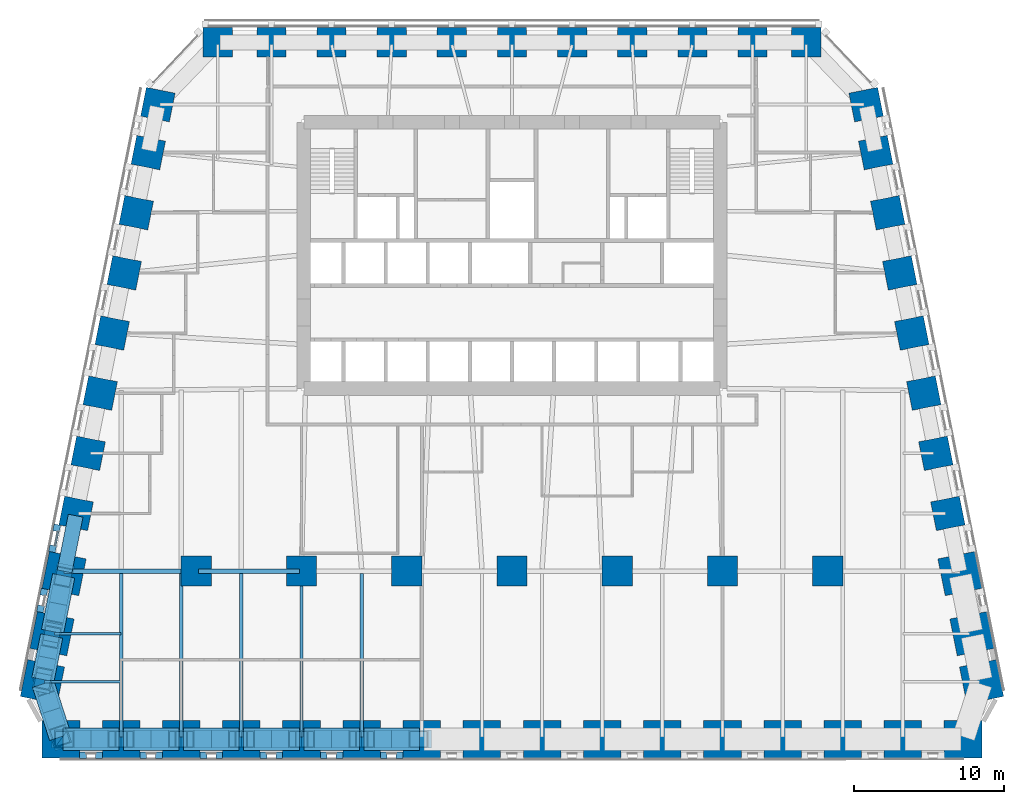
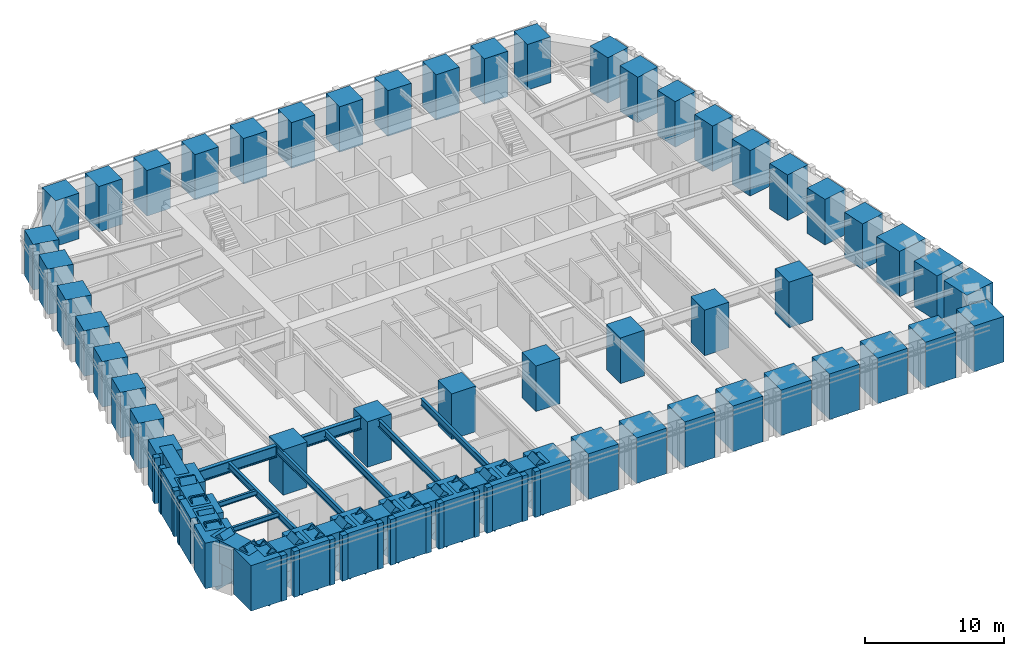
# One storey, part 1 of 17: 56 columns, 35 members, 19 beams, 8 elements without a shape of their own.
"""IFC4 building model written with IfcOpenShell, lengths in metres."""

from ifc_helpers import new_model, si_unit, direction, frame, origin, origin_2d, place, context, subcontext, project, spatial, rectangle, hollow_rectangle, i_section, extrude, material, material_profile, profile_set, type_object, element, aggregate, save


model = new_model("IFC4")

# Units and contexts
model_context = context("Model", 3, precision=1e-05, world=origin(), true_north=direction((0.0, 1.0)))
body_context = subcontext(model_context, "Body", "Model", "MODEL_VIEW")
ifc_project = project(units=[si_unit("LENGTHUNIT", "METRE"), si_unit("AREAUNIT", "SQUARE_METRE"), si_unit("VOLUMEUNIT", "CUBIC_METRE"), si_unit("PLANEANGLEUNIT", "RADIAN"), si_unit("MASSUNIT", "GRAM", prefix="KILO")], contexts=[model_context])

# Site, building, storey
site_placement = place(None, origin())
site = spatial("IfcSite", under=ifc_project, at=site_placement, CompositionType="ELEMENT")
building_placement = place(site_placement, origin())
building = spatial("IfcBuilding", under=site, at=building_placement, Name="Isbrekke Arena Tower", CompositionType="ELEMENT")
storey_placement = place(building_placement, frame((0.0, 0.0, 48.0)))
storey = spatial("IfcBuildingStorey", under=building, at=storey_placement, Name="L09", CompositionType="ELEMENT", Elevation=48.0)

# Columns
ifc_material_1 = material(Name="Concrete B90 (C90/105)", Category="concrete")
ifc_material_profile_1 = material_profile(ifc_material_1, rectangle(XDim=2.0, YDim=2.0, at=origin_2d()), Name="RC 2000x2000")
ifc_profile_set_1 = profile_set([ifc_material_profile_1], Name="Concrete B90 (C90/105)")
column_type_1 = type_object("IfcColumnType", Name="C11 RC 2000 x 2000", PredefinedType="COLUMN", material=ifc_profile_set_1)
for number, where, z_axis, x_axis, name in (
    (1, (-21.0, -6.0, 0.0), (0.0, 0.0, 1.0), (1.0, 0.0, 0.0), "C11 I01"),
    (2, (-14.0, -6.0, 0.0), (0.0, 0.0, 1.0), (1.0, 0.0, 0.0), "C11 I02"),
    (3, (-7.0, -6.0, 0.0), (0.0, 0.0, 1.0), (1.0, 0.0, 0.0), "C11 I03"),
    (4, (0.0, -6.0, 0.0), (0.0, 0.0, 1.0), (1.0, 0.0, 0.0), "C11 I04"),
    (5, (7.0, -6.0, 0.0), (0.0, 0.0, 1.0), (1.0, 0.0, 0.0), "C11 I05"),
    (6, (14.0, -6.0, 0.0), (0.0, 0.0, 1.0), (1.0, 0.0, 0.0), "C11 I06"),
    (7, (21.0, -6.0, 0.0), (0.0, 0.0, 1.0), (1.0, 0.0, 0.0), "C11 I07"),
):
    element("IfcColumn", number, at=place(storey_placement, frame(where, z_axis=z_axis, x_axis=x_axis)), inside=storey, type_object=column_type_1, Name=name, PredefinedType="COLUMN", context=body_context, shape_type="SweptSolid", body=[
        extrude(rectangle(XDim=2.0, YDim=2.0, at=origin_2d()), origin(), (0.0, 0.0, 1.0), 4.0),
    ])
ifc_material_2 = material(Name="Concrete B90 (C90/105)", Category="concrete")
ifc_material_profile_2 = material_profile(ifc_material_2, rectangle(XDim=1.949951171875, YDim=1.949951171875, at=origin_2d()), Name="RC 1950x1950")
ifc_profile_set_2 = profile_set([ifc_material_profile_2], Name="Concrete B90 (C90/105)")
column_type_2 = type_object("IfcColumnType", Name="C2 RC 1950 x 1950", PredefinedType="COLUMN", material=ifc_profile_set_2)
for number, where, z_axis, x_axis, name in (
    (8, (28.990966796875, -2.161865234375, 0.0), (0.0, 0.0, 1.0), (-0.196116135138, 0.980580675691, 0.0), "C2 E04"),
    (9, (28.19091796875, 1.838134765625, 0.0), (0.0, 0.0, 1.0), (-0.196116135138, 0.980580675691, 0.0), "C2 E05"),
    (10, (27.39111328125, 5.838134765625, 0.0), (0.0, 0.0, 1.0), (-0.196116135138, 0.980580675691, 0.0), "C2 E06"),
    (11, (26.591064453125, 9.838134765625, 0.0), (0.0, 0.0, 1.0), (-0.196116135138, 0.980580675691, 0.0), "C2 E07"),
    (12, (25.791015625, 13.838134765625, 0.0), (0.0, 0.0, 1.0), (-0.196116135138, 0.980580675691, 0.0), "C2 E08"),
    (13, (24.990966796875, 17.838134765625, 0.0), (0.0, 0.0, 1.0), (-0.196116135138, 0.980580675691, 0.0), "C2 E09"),
    (14, (24.19091796875, 21.838134765625, 0.0), (0.0, 0.0, 1.0), (-0.196116135138, 0.980580675691, 0.0), "C2 E10"),
    (15, (23.552734375, 25.029296875, 0.0), (0.0, 0.0, 1.0), (-0.196116135138, 0.980580675691, 0.0), "C2 E11"),
    (16, (19.574951171875, 29.175048828125, 0.0), (0.0, 0.0, 1.0), (-1.0, 0.0, 0.0), "C2 N01"),
    (17, (16.0, 29.175048828125, 0.0), (0.0, 0.0, 1.0), (-1.0, 0.0, 0.0), "C2 N02"),
    (18, (12.0, 29.175048828125, 0.0), (0.0, 0.0, 1.0), (-1.0, 0.0, 0.0), "C2 N03"),
    (19, (8.0, 29.175048828125, 0.0), (0.0, 0.0, 1.0), (-1.0, 0.0, 0.0), "C2 N04"),
    (20, (4.0, 29.175048828125, 0.0), (0.0, 0.0, 1.0), (-1.0, 0.0, 0.0), "C2 N05"),
    (21, (0.0, 29.175048828125, 0.0), (0.0, 0.0, 1.0), (-1.0, 0.0, 0.0), "C2 N06"),
    (22, (-4.0, 29.175048828125, 0.0), (0.0, 0.0, 1.0), (-1.0, 0.0, 0.0), "C2 N07"),
    (23, (-8.0, 29.175048828125, 0.0), (0.0, 0.0, 1.0), (-1.0, 0.0, 0.0), "C2 N08"),
    (24, (-12.0, 29.175048828125, 0.0), (0.0, 0.0, 1.0), (-1.0, 0.0, 0.0), "C2 N09"),
    (25, (-16.0, 29.175048828125, 0.0), (0.0, 0.0, 1.0), (-1.0, 0.0, 0.0), "C2 N10"),
    (26, (-19.574951171875, 29.175048828125, 0.0), (0.0, 0.0, 1.0), (-1.0, 0.0, 0.0), "C2 N11"),
    (27, (-23.552734375, 25.029296875, 0.0), (0.0, 0.0, 1.0), (-0.196116135138, -0.980580675691, 0.0), "C2 W01"),
    (28, (-24.19091796875, 21.838134765625, 0.0), (0.0, 0.0, 1.0), (-0.196116135138, -0.980580675691, 0.0), "C2 W02"),
    (29, (-24.990966796875, 17.838134765625, 0.0), (0.0, 0.0, 1.0), (-0.196116135138, -0.980580675691, 0.0), "C2 W03"),
    (30, (-25.791015625, 13.838134765625, 0.0), (0.0, 0.0, 1.0), (-0.196116135138, -0.980580675691, 0.0), "C2 W04"),
    (31, (-26.591064453125, 9.838134765625, 0.0), (0.0, 0.0, 1.0), (-0.196116135138, -0.980580675691, 0.0), "C2 W05"),
    (32, (-27.39111328125, 5.838134765625, 0.0), (0.0, 0.0, 1.0), (-0.196116135138, -0.980580675691, 0.0), "C2 W06"),
    (33, (-28.19091796875, 1.838134765625, 0.0), (0.0, 0.0, 1.0), (-0.196116135138, -0.980580675691, 0.0), "C2 W07"),
    (34, (-28.990966796875, -2.161865234375, 0.0), (0.0, 0.0, 1.0), (-0.196116135138, -0.980580675691, 0.0), "C2 W08"),
):
    element("IfcColumn", number, at=place(storey_placement, frame(where, z_axis=z_axis, x_axis=x_axis)), inside=storey, type_object=column_type_2, Name=name, PredefinedType="COLUMN", context=body_context, shape_type="SweptSolid", body=[
        extrude(rectangle(XDim=1.949951171875, YDim=1.949951171875, at=origin_2d()), origin(), (0.0, 0.0, 1.0), 4.0),
    ])
ifc_material_3 = material(Name="Concrete B90 (C90/105)", Category="concrete")
ifc_material_profile_3 = material_profile(ifc_material_3, rectangle(XDim=2.5, YDim=2.5, at=origin_2d()), Name="RC 2500x2500")
ifc_profile_set_3 = profile_set([ifc_material_profile_3], Name="Concrete B90 (C90/105)")
column_type_3 = type_object("IfcColumnType", Name="C20 RC 2500 x 2500", PredefinedType="COLUMN", material=ifc_profile_set_3)
for number, where, z_axis, x_axis, name in (
    (35, (-30.0, -17.175048828125, 0.0), (0.0, 0.0, 1.0), (1.0, 0.0, 0.0), "C20 S01"),
    (36, (-26.0, -17.175048828125, 0.0), (0.0, 0.0, 1.0), (1.0, 0.0, 0.0), "C20 S02"),
    (37, (-22.0, -17.175048828125, 0.0), (0.0, 0.0, 1.0), (1.0, 0.0, 0.0), "C20 S03"),
    (38, (-18.0, -17.175048828125, 0.0), (0.0, 0.0, 1.0), (1.0, 0.0, 0.0), "C20 S04"),
    (39, (-14.0, -17.175048828125, 0.0), (0.0, 0.0, 1.0), (1.0, 0.0, 0.0), "C20 S05"),
    (40, (-10.0, -17.175048828125, 0.0), (0.0, 0.0, 1.0), (1.0, 0.0, 0.0), "C20 S06"),
    (41, (-6.0, -17.175048828125, 0.0), (0.0, 0.0, 1.0), (1.0, 0.0, 0.0), "C20 S07"),
    (42, (-2.0, -17.175048828125, 0.0), (0.0, 0.0, 1.0), (1.0, 0.0, 0.0), "C20 S08"),
    (43, (2.0, -17.175048828125, 0.0), (0.0, 0.0, 1.0), (1.0, 0.0, 0.0), "C20 S09"),
    (44, (6.0, -17.175048828125, 0.0), (0.0, 0.0, 1.0), (1.0, 0.0, 0.0), "C20 S10"),
    (45, (10.0, -17.175048828125, 0.0), (0.0, 0.0, 1.0), (1.0, 0.0, 0.0), "C20 S11"),
    (46, (14.0, -17.175048828125, 0.0), (0.0, 0.0, 1.0), (1.0, 0.0, 0.0), "C20 S12"),
    (47, (18.0, -17.175048828125, 0.0), (0.0, 0.0, 1.0), (1.0, 0.0, 0.0), "C20 S13"),
    (48, (22.0, -17.175048828125, 0.0), (0.0, 0.0, 1.0), (1.0, 0.0, 0.0), "C20 S14"),
    (49, (26.0, -17.175048828125, 0.0), (0.0, 0.0, 1.0), (1.0, 0.0, 0.0), "C20 S15"),
    (50, (30.0, -17.175048828125, 0.0), (0.0, 0.0, 1.0), (1.0, 0.0, 0.0), "C20 S16"),
    (51, (31.229248046875, -13.352783203125, 0.0), (0.0, 0.0, 1.0), (-0.196116135138, 0.980580675691, 0.0), "C20 E01"),
    (52, (30.591064453125, -10.161865234375, 0.0), (0.0, 0.0, 1.0), (-0.196116135138, 0.980580675691, 0.0), "C20 E02"),
    (53, (29.791015625, -6.161865234375, 0.0), (0.0, 0.0, 1.0), (-0.196116135138, 0.980580675691, 0.0), "C20 E03"),
    (54, (-29.791015625, -6.161865234375, 0.0), (0.0, 0.0, 1.0), (-0.196116135138, -0.980580675691, 0.0), "C20 W09"),
    (55, (-30.591064453125, -10.161865234375, 0.0), (0.0, 0.0, 1.0), (-0.196116135138, -0.980580675691, 0.0), "C20 W10"),
    (56, (-31.229248046875, -13.352783203125, 0.0), (0.0, 0.0, 1.0), (-0.196116135138, -0.980580675691, 0.0), "C20 W11"),
):
    element("IfcColumn", number, at=place(storey_placement, frame(where, z_axis=z_axis, x_axis=x_axis)), inside=storey, type_object=column_type_3, Name=name, PredefinedType="COLUMN", context=body_context, shape_type="SweptSolid", body=[
        extrude(rectangle(XDim=2.5, YDim=2.5, at=origin_2d()), origin(), (0.0, 0.0, 1.0), 4.0),
    ])

# Beams
ifc_material_4 = material(Name="Steel S355", Category="steel")
ifc_material_profile_4 = material_profile(ifc_material_4, i_section(OverallWidth=0.219970703125, OverallDepth=0.60009765625, WebThickness=0.011962890625, FlangeThickness=0.01904296875, FilletRadius=0.02392578125, at=origin_2d()), Name="IPE 600")
ifc_profile_set_4 = profile_set([ifc_material_profile_4], Name="Steel S355")
beam_type_1 = type_object("IfcBeamType", Name="B1 IPE 600", PredefinedType="BEAM", material=ifc_profile_set_4)
for number, where, z_axis, x_axis, name in (
    (57, (-26.0, -17.02490234375, 3.550048828125), (0.0, 1.0, 0.0), (-1.0, 0.0, 0.0), "B1 beam S-S02 L09"),
    (58, (-22.0, -17.02490234375, 3.550048828125), (0.0, 1.0, 0.0), (-1.0, 0.0, 0.0), "B1 beam S-S03 L09"),
    (59, (-18.0, -17.02490234375, 3.550048828125), (0.0, 1.0, 0.0), (-1.0, 0.0, 0.0), "B1 beam S-S04 L09"),
):
    element("IfcBeam", number, at=place(storey_placement, frame(where, z_axis=z_axis, x_axis=x_axis)), inside=storey, type_object=beam_type_1, Name=name, PredefinedType="BEAM", context=body_context, shape_type="SweptSolid", body=[
        extrude(i_section(OverallWidth=0.219970703125, OverallDepth=0.60009765625, WebThickness=0.011962890625, FlangeThickness=0.01904296875, FilletRadius=0.02392578125, at=origin_2d()), origin(), (0.0, 0.0, 1.0), 10.8740234375),
    ])
beam_1_placement = place(storey_placement, frame((-14.0, -17.02490234375, 3.550048828125), z_axis=(0.0, 1.0, 0.0), x_axis=(-1.0, 0.0, 0.0)))
element("IfcBeam", 60, at=beam_1_placement, inside=storey, type_object=beam_type_1, Name="B1 beam S-S05 L09", PredefinedType="BEAM", context=body_context, shape_type="SweptSolid", body=[
    extrude(i_section(OverallWidth=0.219970703125, OverallDepth=0.60009765625, WebThickness=0.011962890625, FlangeThickness=0.01904296875, FilletRadius=0.02392578125, at=origin_2d()), origin(), (0.0, 0.0, 1.0), 10.875),
])
beam_2_placement = place(storey_placement, frame((-10.0, -17.02490234375, 3.550048828125), z_axis=(0.0, 1.0, 0.0), x_axis=(-1.0, 0.0, 0.0)))
element("IfcBeam", 61, at=beam_2_placement, inside=storey, type_object=beam_type_1, Name="B1 beam S-S06 L09", PredefinedType="BEAM", context=body_context, shape_type="SweptSolid", body=[
    extrude(i_section(OverallWidth=0.219970703125, OverallDepth=0.60009765625, WebThickness=0.011962890625, FlangeThickness=0.01904296875, FilletRadius=0.02392578125, at=origin_2d()), origin(), (0.0, 0.0, 1.0), 10.8740234375),
])
ifc_material_5 = material(Name="Steel S355", Category="steel")
ifc_material_profile_5 = material_profile(ifc_material_5, i_section(OverallWidth=0.18994140625, OverallDepth=0.449951171875, WebThickness=0.009521484375, FlangeThickness=0.0146484375, FilletRadius=0.02099609375, at=origin_2d()), Name="IPE 450")
ifc_profile_set_5 = profile_set([ifc_material_profile_5], Name="Steel S355")
beam_type_2 = type_object("IfcBeamType", Name="B2 IPE 450", PredefinedType="BEAM", material=ifc_profile_set_5)
beam_3_placement = place(storey_placement, frame((-30.44091796875, -10.161865234375, 3.625), z_axis=(1.0, 0.0, 0.0), x_axis=(0.0, 1.0, 0.0)))
element("IfcBeam", 62, at=beam_3_placement, inside=storey, type_object=beam_type_2, Name="B2 beam E-W10 L09", PredefinedType="BEAM", context=body_context, shape_type="SweptSolid", body=[
    extrude(i_section(OverallWidth=0.18994140625, OverallDepth=0.449951171875, WebThickness=0.009521484375, FlangeThickness=0.0146484375, FilletRadius=0.02099609375, at=origin_2d()), origin(), (0.0, 0.0, 1.0), 4.44091796875),
])
beam_4_placement = place(storey_placement, frame((-31.079345703125, -13.352783203125, 3.625), z_axis=(1.0, 0.0, 0.0), x_axis=(0.0, 1.0, 0.0)))
element("IfcBeam", 63, at=beam_4_placement, inside=storey, type_object=beam_type_2, Name="B2 beam E-W11 L09", PredefinedType="BEAM", context=body_context, shape_type="SweptSolid", body=[
    extrude(i_section(OverallWidth=0.18994140625, OverallDepth=0.449951171875, WebThickness=0.009521484375, FlangeThickness=0.0146484375, FilletRadius=0.02099609375, at=origin_2d()), origin(), (0.0, 0.0, 1.0), 5.079345703125),
])

# Curtain wall, members
ifc_material_6 = material(Name="Glazed aluminium curtain wall", Category="aluminium")
curtain_wall_type = type_object("IfcCurtainWallType", Name="CWL TOWER CURTAIN WALL LOW ZONE", PredefinedType="USERDEFINED", material=ifc_material_6)
curtain_wall_1_placement = place(storey_placement, origin())
curtain_wall_1 = element("IfcCurtainWall", 64, at=curtain_wall_1_placement, inside=storey, type_object=curtain_wall_type, Name="CWL curtain wall L09-S", ObjectType="TOWER CURTAIN WALL LOW ZONE", PredefinedType="USERDEFINED")
ifc_material_7 = material(Name="Aluminium mullion, pale brick slip cladding", Category="masonry")
ifc_material_profile_6 = material_profile(ifc_material_7, rectangle(XDim=0.449951171875, YDim=0.449951171875, at=origin_2d()), Name="PIER 450X450")
ifc_profile_set_6 = profile_set([ifc_material_profile_6], Name="Aluminium mullion, pale brick slip cladding")
member_type_1 = type_object("IfcMemberType", Name="CWL-M PIER MULLION 450 x 450", PredefinedType="MULLION", material=ifc_profile_set_6)
member_1_placement = place(storey_placement, frame((-28.527099609375, -18.25, 0.0), z_axis=(0.0, 0.0, 1.0), x_axis=(1.0, 0.0, 0.0)))
member_1 = element("IfcMember", 65, at=member_1_placement, type_object=member_type_1, Name="CWL-M mullion 1", PredefinedType="MULLION", context=body_context, shape_type="SweptSolid", body=[
    extrude(rectangle(XDim=0.449951171875, YDim=0.449951171875, at=origin_2d()), origin(), (0.0, 0.0, 1.0), 4.0),
])
member_2_placement = place(storey_placement, frame((-27.47509765625, -18.25, 0.0), z_axis=(0.0, 0.0, 1.0), x_axis=(1.0, 0.0, 0.0)))
member_2 = element("IfcMember", 66, at=member_2_placement, type_object=member_type_1, Name="CWL-M mullion 2", PredefinedType="MULLION", context=body_context, shape_type="SweptSolid", body=[
    extrude(rectangle(XDim=0.449951171875, YDim=0.449951171875, at=origin_2d()), origin(), (0.0, 0.0, 1.0), 4.0),
])
aggregate(curtain_wall_1, [member_1, member_2])

curtain_wall_2_placement = place(storey_placement, origin())
curtain_wall_2 = element("IfcCurtainWall", 67, at=curtain_wall_2_placement, inside=storey, type_object=curtain_wall_type, Name="CWL curtain wall L09-S3", ObjectType="TOWER CURTAIN WALL LOW ZONE", PredefinedType="USERDEFINED")
member_3_placement = place(storey_placement, frame((-24.52490234375, -18.25, 0.0), z_axis=(0.0, 0.0, 1.0), x_axis=(1.0, 0.0, 0.0)))
member_3 = element("IfcMember", 68, at=member_3_placement, type_object=member_type_1, Name="CWL-M mullion 1", PredefinedType="MULLION", context=body_context, shape_type="SweptSolid", body=[
    extrude(rectangle(XDim=0.449951171875, YDim=0.449951171875, at=origin_2d()), origin(), (0.0, 0.0, 1.0), 4.0),
])
member_4_placement = place(storey_placement, frame((-23.47509765625, -18.25, 0.0), z_axis=(0.0, 0.0, 1.0), x_axis=(1.0, 0.0, 0.0)))
member_4 = element("IfcMember", 69, at=member_4_placement, type_object=member_type_1, Name="CWL-M mullion 2", PredefinedType="MULLION", context=body_context, shape_type="SweptSolid", body=[
    extrude(rectangle(XDim=0.449951171875, YDim=0.449951171875, at=origin_2d()), origin(), (0.0, 0.0, 1.0), 4.0),
])
aggregate(curtain_wall_2, [member_3, member_4])

curtain_wall_3_placement = place(storey_placement, origin())
curtain_wall_3 = element("IfcCurtainWall", 70, at=curtain_wall_3_placement, inside=storey, type_object=curtain_wall_type, Name="CWL curtain wall L09-S5", ObjectType="TOWER CURTAIN WALL LOW ZONE", PredefinedType="USERDEFINED")
member_5_placement = place(storey_placement, frame((-20.52490234375, -18.25, 0.0), z_axis=(0.0, 0.0, 1.0), x_axis=(1.0, 0.0, 0.0)))
member_5 = element("IfcMember", 71, at=member_5_placement, type_object=member_type_1, Name="CWL-M mullion 1", PredefinedType="MULLION", context=body_context, shape_type="SweptSolid", body=[
    extrude(rectangle(XDim=0.449951171875, YDim=0.449951171875, at=origin_2d()), origin(), (0.0, 0.0, 1.0), 4.0),
])
member_6_placement = place(storey_placement, frame((-19.47509765625, -18.25, 0.0), z_axis=(0.0, 0.0, 1.0), x_axis=(1.0, 0.0, 0.0)))
member_6 = element("IfcMember", 72, at=member_6_placement, type_object=member_type_1, Name="CWL-M mullion 2", PredefinedType="MULLION", context=body_context, shape_type="SweptSolid", body=[
    extrude(rectangle(XDim=0.449951171875, YDim=0.449951171875, at=origin_2d()), origin(), (0.0, 0.0, 1.0), 4.0),
])
aggregate(curtain_wall_3, [member_5, member_6])

curtain_wall_4_placement = place(storey_placement, origin())
curtain_wall_4 = element("IfcCurtainWall", 73, at=curtain_wall_4_placement, inside=storey, type_object=curtain_wall_type, Name="CWL curtain wall L09-S7", ObjectType="TOWER CURTAIN WALL LOW ZONE", PredefinedType="USERDEFINED")
member_7_placement = place(storey_placement, frame((-16.52490234375, -18.25, 0.0), z_axis=(0.0, 0.0, 1.0), x_axis=(1.0, 0.0, 0.0)))
member_7 = element("IfcMember", 74, at=member_7_placement, type_object=member_type_1, Name="CWL-M mullion 1", PredefinedType="MULLION", context=body_context, shape_type="SweptSolid", body=[
    extrude(rectangle(XDim=0.449951171875, YDim=0.449951171875, at=origin_2d()), origin(), (0.0, 0.0, 1.0), 4.0),
])
member_8_placement = place(storey_placement, frame((-15.47509765625, -18.25, 0.0), z_axis=(0.0, 0.0, 1.0), x_axis=(1.0, 0.0, 0.0)))
member_8 = element("IfcMember", 75, at=member_8_placement, type_object=member_type_1, Name="CWL-M mullion 2", PredefinedType="MULLION", context=body_context, shape_type="SweptSolid", body=[
    extrude(rectangle(XDim=0.449951171875, YDim=0.449951171875, at=origin_2d()), origin(), (0.0, 0.0, 1.0), 4.0),
])
aggregate(curtain_wall_4, [member_7, member_8])

curtain_wall_5_placement = place(storey_placement, origin())
curtain_wall_5 = element("IfcCurtainWall", 76, at=curtain_wall_5_placement, inside=storey, type_object=curtain_wall_type, Name="CWL curtain wall L09-S9", ObjectType="TOWER CURTAIN WALL LOW ZONE", PredefinedType="USERDEFINED")
member_9_placement = place(storey_placement, frame((-12.52490234375, -18.25, 0.0), z_axis=(0.0, 0.0, 1.0), x_axis=(1.0, 0.0, 0.0)))
member_9 = element("IfcMember", 77, at=member_9_placement, type_object=member_type_1, Name="CWL-M mullion 1", PredefinedType="MULLION", context=body_context, shape_type="SweptSolid", body=[
    extrude(rectangle(XDim=0.449951171875, YDim=0.449951171875, at=origin_2d()), origin(), (0.0, 0.0, 1.0), 4.0),
])
member_10_placement = place(storey_placement, frame((-11.47509765625, -18.25, 0.0), z_axis=(0.0, 0.0, 1.0), x_axis=(1.0, 0.0, 0.0)))
member_10 = element("IfcMember", 78, at=member_10_placement, type_object=member_type_1, Name="CWL-M mullion 2", PredefinedType="MULLION", context=body_context, shape_type="SweptSolid", body=[
    extrude(rectangle(XDim=0.449951171875, YDim=0.449951171875, at=origin_2d()), origin(), (0.0, 0.0, 1.0), 4.0),
])
aggregate(curtain_wall_5, [member_9, member_10])

curtain_wall_6_placement = place(storey_placement, origin())
curtain_wall_6 = element("IfcCurtainWall", 79, at=curtain_wall_6_placement, inside=storey, type_object=curtain_wall_type, Name="CWL curtain wall L09-S11", ObjectType="TOWER CURTAIN WALL LOW ZONE", PredefinedType="USERDEFINED")
member_11_placement = place(storey_placement, frame((-8.52490234375, -18.25, 0.0), z_axis=(0.0, 0.0, 1.0), x_axis=(1.0, 0.0, 0.0)))
member_11 = element("IfcMember", 80, at=member_11_placement, type_object=member_type_1, Name="CWL-M mullion 1", PredefinedType="MULLION", context=body_context, shape_type="SweptSolid", body=[
    extrude(rectangle(XDim=0.449951171875, YDim=0.449951171875, at=origin_2d()), origin(), (0.0, 0.0, 1.0), 4.0),
])
member_12_placement = place(storey_placement, frame((-7.47509765625, -18.25, 0.0), z_axis=(0.0, 0.0, 1.0), x_axis=(1.0, 0.0, 0.0)))
member_12 = element("IfcMember", 81, at=member_12_placement, type_object=member_type_1, Name="CWL-M mullion 2", PredefinedType="MULLION", context=body_context, shape_type="SweptSolid", body=[
    extrude(rectangle(XDim=0.449951171875, YDim=0.449951171875, at=origin_2d()), origin(), (0.0, 0.0, 1.0), 4.0),
])
aggregate(curtain_wall_6, [member_11, member_12])

curtain_wall_7_placement = place(storey_placement, origin())
curtain_wall_7 = element("IfcCurtainWall", 82, at=curtain_wall_7_placement, inside=storey, type_object=curtain_wall_type, Name="CWL curtain wall L09-W15", ObjectType="TOWER CURTAIN WALL LOW ZONE", PredefinedType="USERDEFINED")
member_13_placement = place(storey_placement, frame((-30.280517578125, -3.127685546875, 0.0), z_axis=(0.0, 0.0, 1.0), x_axis=(-0.196116135138, -0.980580675691, 0.0)))
member_13 = element("IfcMember", 83, at=member_13_placement, type_object=member_type_1, Name="CWL-M mullion 1", PredefinedType="MULLION", context=body_context, shape_type="SweptSolid", body=[
    extrude(rectangle(XDim=0.449951171875, YDim=0.449951171875, at=origin_2d()), origin(), (0.0, 0.0, 1.0), 4.0),
])
member_14_placement = place(storey_placement, frame((-30.555908203125, -4.504638671875, 0.0), z_axis=(0.0, 0.0, 1.0), x_axis=(-0.196116135138, -0.980580675691, 0.0)))
member_14 = element("IfcMember", 84, at=member_14_placement, type_object=member_type_1, Name="CWL-M mullion 2", PredefinedType="MULLION", context=body_context, shape_type="SweptSolid", body=[
    extrude(rectangle(XDim=0.449951171875, YDim=0.449951171875, at=origin_2d()), origin(), (0.0, 0.0, 1.0), 4.0),
])

curtain_wall_8_placement = place(storey_placement, origin())
curtain_wall_8 = element("IfcCurtainWall", 85, at=curtain_wall_8_placement, inside=storey, type_object=curtain_wall_type, Name="CWL curtain wall L09-W17", ObjectType="TOWER CURTAIN WALL LOW ZONE", PredefinedType="USERDEFINED")
member_15_placement = place(storey_placement, frame((-31.134521484375, -7.397216796875, 0.0), z_axis=(0.0, 0.0, 1.0), x_axis=(-0.196116135138, -0.980580675691, 0.0)))
member_15 = element("IfcMember", 86, at=member_15_placement, type_object=member_type_1, Name="CWL-M mullion 1", PredefinedType="MULLION", context=body_context, shape_type="SweptSolid", body=[
    extrude(rectangle(XDim=0.449951171875, YDim=0.449951171875, at=origin_2d()), origin(), (0.0, 0.0, 1.0), 4.0),
])
member_16_placement = place(storey_placement, frame((-31.35595703125, -8.504638671875, 0.0), z_axis=(0.0, 0.0, 1.0), x_axis=(-0.196116135138, -0.980580675691, 0.0)))
member_16 = element("IfcMember", 87, at=member_16_placement, type_object=member_type_1, Name="CWL-M mullion 2", PredefinedType="MULLION", context=body_context, shape_type="SweptSolid", body=[
    extrude(rectangle(XDim=0.449951171875, YDim=0.449951171875, at=origin_2d()), origin(), (0.0, 0.0, 1.0), 4.0),
])
aggregate(curtain_wall_8, [member_15, member_16])

# Member
ifc_material_8 = material(Name="Aluminium transom", Category="aluminium")
ifc_material_profile_7 = material_profile(ifc_material_8, rectangle(XDim=0.1201171875, YDim=0.199951171875, at=origin_2d()), Name="TRANSOM 120X200")
ifc_profile_set_7 = profile_set([ifc_material_profile_7], Name="Aluminium transom")
member_type_2 = type_object("IfcMemberType", Name="CWL-T TRANSOM 120 x 200", PredefinedType="USERDEFINED", material=ifc_profile_set_7)
member_17_placement = place(storey_placement, frame((-30.2021484375, -3.372802734375, 3.0), z_axis=(-0.19596853661, -0.980610183844, 0.0), x_axis=(0.980610183844, -0.19596853661, 0.0)))
member_17 = element("IfcMember", 88, at=member_17_placement, type_object=member_type_2, Name="CWL-T transom 1", ObjectType="TRANSOM", PredefinedType="USERDEFINED", context=body_context, shape_type="SweptSolid", body=[
    extrude(rectangle(XDim=0.1201171875, YDim=0.199951171875, at=origin_2d()), origin(), (0.0, 0.0, 1.0), 0.954345703125),
])

aggregate(curtain_wall_7, [member_13, member_14, member_17])

# Beams
ifc_material_9 = material(Name="Steel S355", Category="steel")
ifc_material_profile_8 = material_profile(ifc_material_9, i_section(OverallWidth=0.302001953125, OverallDepth=1.008056640625, WebThickness=0.02099609375, FlangeThickness=0.0400390625, FilletRadius=0.030029296875, at=origin_2d()), Name="HEM 1000")
ifc_profile_set_8 = profile_set([ifc_material_profile_8], Name="Steel S355")
beam_type_3 = type_object("IfcBeamType", Name="G1 HEM 1000", PredefinedType="BEAM", material=ifc_profile_set_8)
beam_5_placement = place(storey_placement, frame((-29.791015625, -6.0, 3.345947265625), z_axis=(1.0, 0.0, 0.0), x_axis=(0.0, 1.0, 0.0)))
element("IfcBeam", 89, at=beam_5_placement, inside=storey, type_object=beam_type_3, Name="G1 beam G1-01 L09", PredefinedType="BEAM", context=body_context, shape_type="SweptSolid", body=[
    extrude(i_section(OverallWidth=0.302001953125, OverallDepth=1.008056640625, WebThickness=0.02099609375, FlangeThickness=0.0400390625, FilletRadius=0.030029296875, at=origin_2d()), origin(), (0.0, 0.0, 1.0), 8.64111328125),
])
beam_6_placement = place(storey_placement, frame((-20.85009765625, -6.0, 3.345947265625), z_axis=(1.0, 0.0, 0.0), x_axis=(0.0, 1.0, 0.0)))
element("IfcBeam", 90, at=beam_6_placement, inside=storey, type_object=beam_type_3, Name="G1 beam G1-02 L09", PredefinedType="BEAM", context=body_context, shape_type="SweptSolid", body=[
    extrude(i_section(OverallWidth=0.302001953125, OverallDepth=1.008056640625, WebThickness=0.02099609375, FlangeThickness=0.0400390625, FilletRadius=0.030029296875, at=origin_2d()), origin(), (0.0, 0.0, 1.0), 6.7001953125),
])
ifc_material_10 = material(Name="Concrete B90 (C90/105)", Category="concrete")
ifc_material_profile_9 = material_profile(ifc_material_10, rectangle(XDim=1.0, YDim=1.60009765625, at=origin_2d()), Name="RC 1000x1600")
ifc_profile_set_9 = profile_set([ifc_material_profile_9], Name="Concrete B90 (C90/105)")
beam_type_4 = type_object("IfcBeamType", Name="SB1 RC 1000 x 1600", PredefinedType="SPANDREL", material=ifc_profile_set_9)
beam_7_placement = place(storey_placement, frame((-29.0205078125, -2.308837890625, 3.199951171875), z_axis=(-0.196128558387, -0.980578190959, 0.0), x_axis=(0.980578190959, -0.196128558387, 0.0)))
element("IfcBeam", 91, at=beam_7_placement, inside=storey, type_object=beam_type_4, Name="SB1 spandrel W08-W09 L09", PredefinedType="SPANDREL", context=body_context, shape_type="SweptSolid", body=[
    extrude(rectangle(XDim=1.0, YDim=1.60009765625, at=origin_2d()), origin(), (0.0, 0.0, 1.0), 3.779296875),
])
ifc_material_11 = material(Name="Concrete B90 (C90/105)", Category="concrete")
ifc_material_profile_10 = material_profile(ifc_material_11, rectangle(XDim=1.5, YDim=2.0, at=origin_2d()), Name="RC 1500x2000")
ifc_profile_set_10 = profile_set([ifc_material_profile_10], Name="Concrete B90 (C90/105)")
beam_type_5 = type_object("IfcBeamType", Name="SB6 RC 1500 x 2000", PredefinedType="SPANDREL", material=ifc_profile_set_10)
for number, where, z_axis, x_axis, name in (
    (92, (-29.85009765625, -17.175048828125, 3.0), (1.0, 0.0, 0.0), (0.0, 1.0, 0.0), "SB6 spandrel S01-S02 L09"),
    (93, (-25.85009765625, -17.175048828125, 3.0), (1.0, 0.0, 0.0), (0.0, 1.0, 0.0), "SB6 spandrel S02-S03 L09"),
    (94, (-21.85009765625, -17.175048828125, 3.0), (1.0, 0.0, 0.0), (0.0, 1.0, 0.0), "SB6 spandrel S03-S04 L09"),
    (95, (-17.85009765625, -17.175048828125, 3.0), (1.0, 0.0, 0.0), (0.0, 1.0, 0.0), "SB6 spandrel S04-S05 L09"),
    (96, (-13.85009765625, -17.175048828125, 3.0), (1.0, 0.0, 0.0), (0.0, 1.0, 0.0), "SB6 spandrel S05-S06 L09"),
    (97, (-9.85009765625, -17.175048828125, 3.0), (1.0, 0.0, 0.0), (0.0, 1.0, 0.0), "SB6 spandrel S06-S07 L09"),
):
    element("IfcBeam", number, at=place(storey_placement, frame(where, z_axis=z_axis, x_axis=x_axis)), inside=storey, type_object=beam_type_5, Name=name, PredefinedType="SPANDREL", context=body_context, shape_type="SweptSolid", body=[
        extrude(rectangle(XDim=1.5, YDim=2.0, at=origin_2d()), origin(), (0.0, 0.0, 1.0), 3.7001953125),
    ])
beam_8_placement = place(storey_placement, frame((-29.820556640625, -6.308837890625, 3.0), z_axis=(-0.1960664412, -0.980590613169, 0.0), x_axis=(0.980590613169, -0.1960664412, 0.0)))
element("IfcBeam", 98, at=beam_8_placement, inside=storey, type_object=beam_type_5, Name="SB6 spandrel W09-W10 L09", PredefinedType="SPANDREL", context=body_context, shape_type="SweptSolid", body=[
    extrude(rectangle(XDim=1.5, YDim=2.0, at=origin_2d()), origin(), (0.0, 0.0, 1.0), 3.779052734375),
])
beam_9_placement = place(storey_placement, frame((-30.620361328125, -10.308837890625, 3.0), z_axis=(-0.196100243168, -0.980583853951, 0.0), x_axis=(0.980583853951, -0.196100243168, 0.0)))
element("IfcBeam", 99, at=beam_9_placement, inside=storey, type_object=beam_type_5, Name="SB6 spandrel W10-W11 L09", PredefinedType="SPANDREL", context=body_context, shape_type="SweptSolid", body=[
    extrude(rectangle(XDim=1.5, YDim=2.0, at=origin_2d()), origin(), (0.0, 0.0, 1.0), 2.954345703125),
])
beam_10_placement = place(storey_placement, frame((-31.183349609375, -13.49560546875, 3.0), z_axis=(0.306175101476, -0.951975213562, 0.0), x_axis=(0.951975213562, 0.306175101476, 0.0)))
element("IfcBeam", 100, at=beam_10_placement, inside=storey, type_object=beam_type_5, Name="SB6 spandrel W11-S01 L09", PredefinedType="SPANDREL", context=body_context, shape_type="SweptSolid", body=[
    extrude(rectangle(XDim=1.5, YDim=2.0, at=origin_2d()), origin(), (0.0, 0.0, 1.0), 3.715087890625),
])

# Members
ifc_material_12 = material(Name="Steel S460", Category="steel")
ifc_material_profile_11 = material_profile(ifc_material_12, hollow_rectangle(XDim=1.199951171875, YDim=1.800048828125, WallThickness=0.090087890625, at=origin_2d()), Name="BOX 1200x1800x90")
ifc_profile_set_11 = profile_set([ifc_material_profile_11], Name="Steel S460")
member_type_3 = type_object("IfcMemberType", Name="TB1 BOX 1200x1800x90", PredefinedType="BRACE", material=ifc_profile_set_11)
for number, where, z_axis, x_axis, name in (
    (101, (-29.791015625, -6.161865234375, 0.0), (-0.140032438362, -0.700117005481, 0.700162191812), (0.980578241477, -0.196128305817, 0.0), "TB1 transfer brace W09-W10 L09 A"),
    (102, (-29.83447265625, -6.37890625, 3.782958984375), (-0.140028008403, -0.700140042014, -0.700140042014), (0.980580675691, -0.196116135138, 0.0), "TB1 transfer brace W09-W10 L09 B"),
):
    element("IfcMember", number, at=place(storey_placement, frame(where, z_axis=z_axis, x_axis=x_axis)), inside=storey, type_object=member_type_3, Name=name, PredefinedType="BRACE", context=body_context, shape_type="SweptSolid", body=[
        extrude(hollow_rectangle(XDim=1.199951171875, YDim=1.800048828125, WallThickness=0.090087890625, at=origin_2d()), origin(), (0.0, 0.0, 1.0), 5.403076171875),
    ])
for number, where, z_axis, x_axis, name in (
    (103, (-30.591064453125, -10.161865234375, 0.0), (-0.123773292261, -0.618815796836, 0.775723650348), (0.980577587758, -0.196131574168, 0.0), "TB1 transfer brace W10-W11 L09 A"),
    (104, (-30.6328125, -10.370849609375, 3.738037109375), (-0.123773292261, -0.618815796836, -0.775723650348), (0.980577587758, -0.196131574168, 0.0), "TB1 transfer brace W10-W11 L09 B"),
):
    element("IfcMember", number, at=place(storey_placement, frame(where, z_axis=z_axis, x_axis=x_axis)), inside=storey, type_object=member_type_3, Name=name, PredefinedType="BRACE", context=body_context, shape_type="SweptSolid", body=[
        extrude(hollow_rectangle(XDim=1.199951171875, YDim=1.800048828125, WallThickness=0.090087890625, at=origin_2d()), origin(), (0.0, 0.0, 1.0), 4.81884765625),
    ])
for number, where, z_axis, x_axis, name in (
    (105, (-31.229248046875, -13.352783203125, 0.0), (0.216888895255, -0.67441597421, 0.705777798493), (0.951982356028, 0.306152892868, 0.0), "TB1 transfer brace W11-S01 L09 A"),
    (106, (-31.16162109375, -13.56298828125, 3.780029296875), (0.216888895255, -0.67441597421, -0.705777798493), (0.951982356028, 0.306152892868, 0.0), "TB1 transfer brace W11-S01 L09 B"),
):
    element("IfcMember", number, at=place(storey_placement, frame(where, z_axis=z_axis, x_axis=x_axis)), inside=storey, type_object=member_type_3, Name=name, PredefinedType="BRACE", context=body_context, shape_type="SweptSolid", body=[
        extrude(hollow_rectangle(XDim=1.199951171875, YDim=1.800048828125, WallThickness=0.090087890625, at=origin_2d()), origin(), (0.0, 0.0, 1.0), 5.355712890625),
    ])
for number, where, z_axis, x_axis, name in (
    (107, (-30.0, -17.175048828125, 0.0), (0.707106781187, 0.0, 0.707106781187), (0.0, 1.0, 0.0), "TB1 transfer brace S01-S02 L09 A"),
    (108, (-29.779296875, -17.175048828125, 3.779296875), (0.707106781187, 0.0, -0.707106781187), (0.0, 1.0, 0.0), "TB1 transfer brace S01-S02 L09 B"),
    (109, (-26.0, -17.175048828125, 0.0), (0.707106781187, 0.0, 0.707106781187), (0.0, 1.0, 0.0), "TB1 transfer brace S02-S03 L09 A"),
    (110, (-25.779296875, -17.175048828125, 3.779296875), (0.707106781187, 0.0, -0.707106781187), (0.0, 1.0, 0.0), "TB1 transfer brace S02-S03 L09 B"),
    (111, (-22.0, -17.175048828125, 0.0), (0.707106781187, 0.0, 0.707106781187), (0.0, 1.0, 0.0), "TB1 transfer brace S03-S04 L09 A"),
    (112, (-21.779296875, -17.175048828125, 3.779296875), (0.707106781187, 0.0, -0.707106781187), (0.0, 1.0, 0.0), "TB1 transfer brace S03-S04 L09 B"),
    (113, (-18.0, -17.175048828125, 0.0), (0.707106781187, 0.0, 0.707106781187), (0.0, 1.0, 0.0), "TB1 transfer brace S04-S05 L09 A"),
    (114, (-17.779296875, -17.175048828125, 3.779296875), (0.707106781187, 0.0, -0.707106781187), (0.0, 1.0, 0.0), "TB1 transfer brace S04-S05 L09 B"),
    (115, (-14.0, -17.175048828125, 0.0), (0.707106781187, 0.0, 0.707106781187), (0.0, 1.0, 0.0), "TB1 transfer brace S05-S06 L09 A"),
    (116, (-13.779296875, -17.175048828125, 3.779296875), (0.707106781187, 0.0, -0.707106781187), (0.0, 1.0, 0.0), "TB1 transfer brace S05-S06 L09 B"),
    (117, (-10.0, -17.175048828125, 0.0), (0.707106781187, 0.0, 0.707106781187), (0.0, 1.0, 0.0), "TB1 transfer brace S06-S07 L09 A"),
    (118, (-9.779296875, -17.175048828125, 3.779296875), (0.707106781187, 0.0, -0.707106781187), (0.0, 1.0, 0.0), "TB1 transfer brace S06-S07 L09 B"),
):
    element("IfcMember", number, at=place(storey_placement, frame(where, z_axis=z_axis, x_axis=x_axis)), inside=storey, type_object=member_type_3, Name=name, PredefinedType="BRACE", context=body_context, shape_type="SweptSolid", body=[
        extrude(hollow_rectangle(XDim=1.199951171875, YDim=1.800048828125, WallThickness=0.090087890625, at=origin_2d()), origin(), (0.0, 0.0, 1.0), 5.3447265625),
    ])

save(model, "model.ifc")
